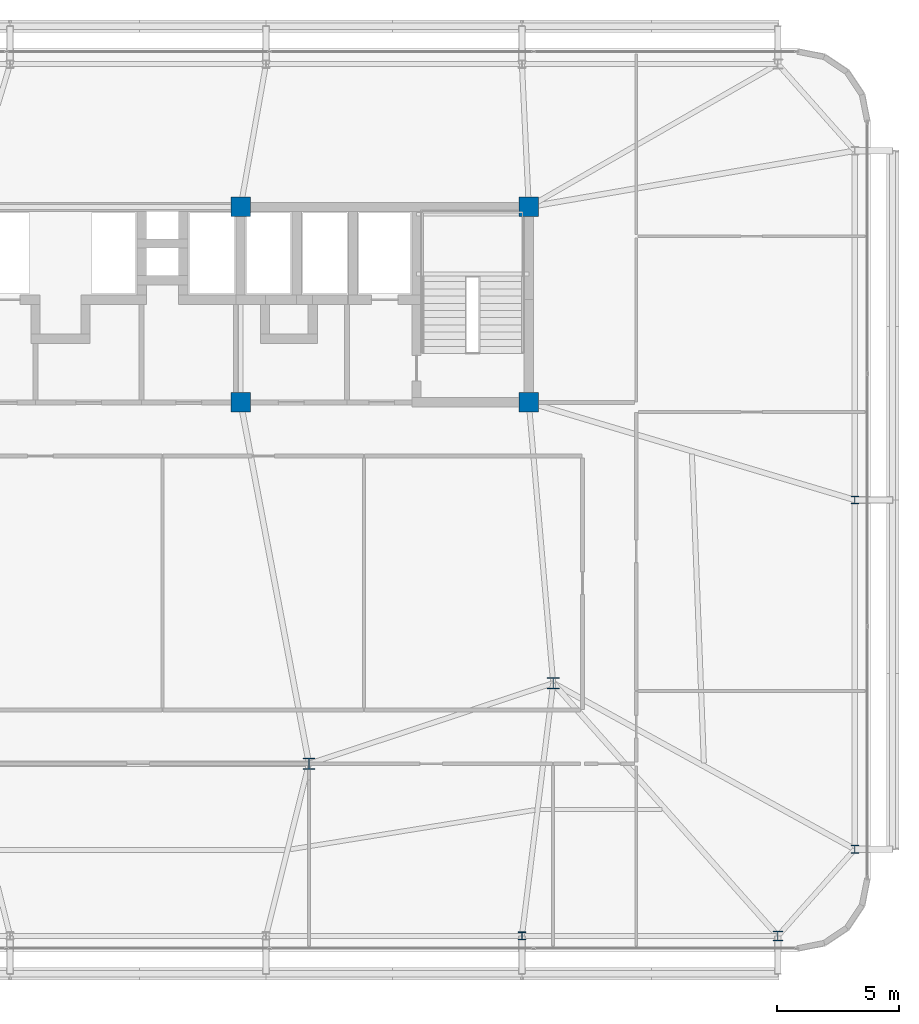
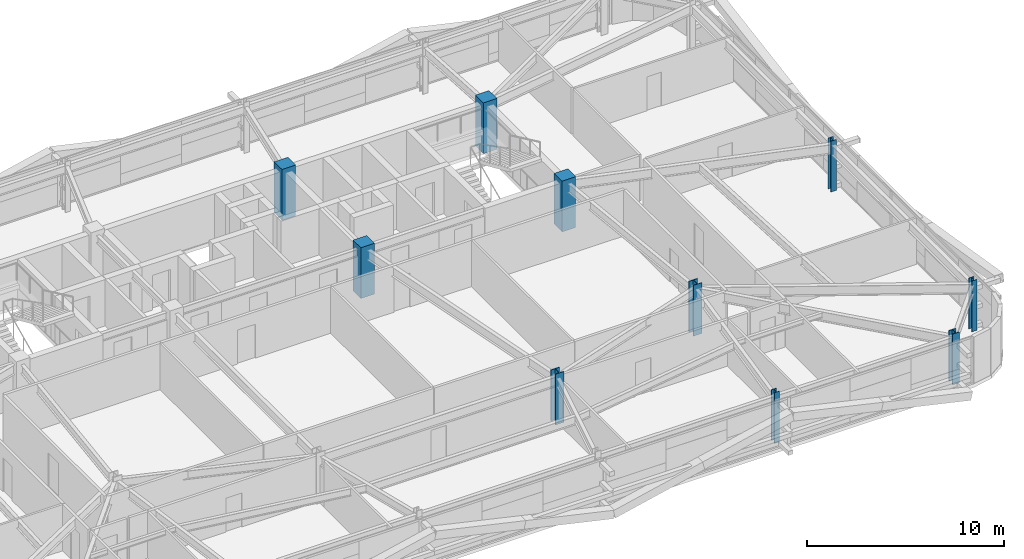
# One storey, part 2 of 45: 10 columns.
"""IFC4 building model written with IfcOpenShell, lengths in metres."""

from ifc_helpers import new_model, si_unit, direction, frame, origin, origin_2d, place, context, subcontext, project, spatial, rectangle, i_section, extrude, source, transform, mapped, material, material_profile, profile_set, type_object, element, save


model = new_model("IFC4")

# Units and contexts
model_context = context("Model", 3, precision=1e-05, world=origin(), true_north=direction((0.0, 1.0)))
body_context = subcontext(model_context, "Body", "Model", "MODEL_VIEW")
ifc_project = project(units=[si_unit("LENGTHUNIT", "METRE"), si_unit("AREAUNIT", "SQUARE_METRE"), si_unit("VOLUMEUNIT", "CUBIC_METRE"), si_unit("PLANEANGLEUNIT", "RADIAN"), si_unit("MASSUNIT", "GRAM", prefix="KILO")], contexts=[model_context])

# Site, building, storey
site_placement = place(None, origin())
site = spatial("IfcSite", under=ifc_project, at=site_placement, CompositionType="ELEMENT")
building_placement = place(site_placement, origin())
building = spatial("IfcBuilding", under=site, at=building_placement, Name="Taldren Reach Tower", CompositionType="ELEMENT")
storey_placement = place(building_placement, frame((0.0, 0.0, 57.75)))
storey = spatial("IfcBuildingStorey", under=building, at=storey_placement, Name="L17", CompositionType="ELEMENT", Elevation=57.75)

# Columns
ifc_material_1 = material(Name="Steel Gr 350 (350PLUS)", Category="steel")
ifc_material_profile_1 = material_profile(ifc_material_1, i_section(OverallWidth=0.5, OverallDepth=0.47998046875, WebThickness=0.028076171875, FlangeThickness=0.0439453125, at=origin_2d()), Name="500WC440")
ifc_profile_set_1 = profile_set([ifc_material_profile_1], Name="Steel Gr 350 (350PLUS)")
column_type_1 = type_object("IfcColumnType", Name="COL-WC500A", PredefinedType="COLUMN", material=ifc_profile_set_1)
shared_shape_1 = source(origin(), body_context, "Body", "SweptSolid", [
    extrude(i_section(OverallWidth=0.5, OverallDepth=0.47998046875, WebThickness=0.028076171875, FlangeThickness=0.0439453125, at=origin_2d()), origin(), (0.0, 0.0, 1.0), 3.14990234375),
])
column_1_placement = place(storey_placement, frame((42.0, 9.199951171875, 0.0), z_axis=(0.0, 0.0, 1.0), x_axis=(1.0, 0.0, 0.0)))
element("IfcColumn", 1, at=column_1_placement, inside=storey, type_object=column_type_1, Name="Mega column MC-PJE L17", PredefinedType="COLUMN", context=body_context, shape_type="MappedRepresentation", body=[
    mapped(shared_shape_1, transform((0.0, 0.0, 0.0), scale=1.0)),
])
ifc_material_profile_2 = material_profile(ifc_material_1, i_section(OverallWidth=0.39990234375, OverallDepth=0.39599609375, WebThickness=0.02197265625, FlangeThickness=0.033935546875, at=origin_2d()), Name="400WC270")
ifc_profile_set_2 = profile_set([ifc_material_profile_2], Name="Steel Gr 350 (350PLUS)")
column_type_2 = type_object("IfcColumnType", Name="COL-WC400", PredefinedType="COLUMN", material=ifc_profile_set_2)
shared_shape_2 = source(origin(), body_context, "Body", "SweptSolid", [
    extrude(i_section(OverallWidth=0.39990234375, OverallDepth=0.39599609375, WebThickness=0.02197265625, FlangeThickness=0.033935546875, at=origin_2d()), origin(), (0.0, 0.0, 1.0), 3.14990234375),
])
column_2_placement = place(storey_placement, frame((61.199951171875, 2.14990234375, 0.0), z_axis=(0.0, 0.0, 1.0), x_axis=(1.0, 0.0, 0.0)))
element("IfcColumn", 2, at=column_2_placement, inside=storey, type_object=column_type_2, Name="Block B1 perimeter column S6 L17", PredefinedType="COLUMN", context=body_context, shape_type="MappedRepresentation", body=[
    mapped(shared_shape_2, transform((0.0, 0.0, 0.0), scale=1.0)),
])
ifc_material_profile_3 = material_profile(ifc_material_1, i_section(OverallWidth=0.31103515625, OverallDepth=0.326904296875, WebThickness=0.015625, FlangeThickness=0.02490234375, at=origin_2d()), Name="310UC158")
ifc_profile_set_3 = profile_set([ifc_material_profile_3], Name="Steel Gr 350 (350PLUS)")
column_type_3 = type_object("IfcColumnType", Name="COL-UC310A", PredefinedType="COLUMN", material=ifc_profile_set_3)
shared_shape_3 = source(origin(), body_context, "Body", "SweptSolid", [
    extrude(i_section(OverallWidth=0.31103515625, OverallDepth=0.326904296875, WebThickness=0.015625, FlangeThickness=0.02490234375, at=origin_2d()), origin(), (0.0, 0.0, 1.0), 3.14990234375),
])
for number, where, z_axis, x_axis, name in (
    (3, (50.719970703125, 2.14990234375, 0.0), (0.0, 0.0, 1.0), (1.0, 0.0, 0.0), "Block B1 perimeter column S5 L17"),
    (4, (64.35009765625, 5.699951171875, 0.0), (0.0, 0.0, 1.0), (1.0, 0.0, 0.0), "Block B1 perimeter column E1 L17"),
    (5, (64.35009765625, 20.0, 0.0), (0.0, 0.0, 1.0), (1.0, 0.0, 0.0), "Block B1 perimeter column E2 L17"),
):
    element("IfcColumn", number, at=place(storey_placement, frame(where, z_axis=z_axis, x_axis=x_axis)), inside=storey, type_object=column_type_3, Name=name, PredefinedType="COLUMN", context=body_context, shape_type="MappedRepresentation", body=[
        mapped(shared_shape_3, transform((0.0, 0.0, 0.0), scale=1.0)),
    ])
ifc_material_2 = material(Name="Concrete S65 (65 MPa)", Category="concrete")
ifc_material_profile_4 = material_profile(ifc_material_2, rectangle(XDim=0.800048828125, YDim=0.800048828125, at=origin_2d()), Name="RC-800x800")
ifc_profile_set_4 = profile_set([ifc_material_profile_4], Name="Concrete S65 (65 MPa)")
column_type_4 = type_object("IfcColumnType", Name="COL-RC800", PredefinedType="COLUMN", material=ifc_profile_set_4)
shared_shape_4 = source(origin(), body_context, "Body", "SweptSolid", [
    extrude(rectangle(XDim=0.800048828125, YDim=0.800048828125, at=origin_2d()), origin(), (0.0, 0.0, 1.0), 3.14990234375),
])
for number, where, z_axis, x_axis, name in (
    (6, (39.199951171875, 24.0, 0.0), (0.0, 0.0, 1.0), (1.0, 0.0, 0.0), "Mega column MC-C3 L17"),
    (7, (51.0, 24.0, 0.0), (0.0, 0.0, 1.0), (1.0, 0.0, 0.0), "Mega column MC-C4 L17"),
    (8, (39.199951171875, 32.0, 0.0), (0.0, 0.0, 1.0), (1.0, 0.0, 0.0), "Mega column MC-C7 L17"),
    (9, (51.0, 32.0, 0.0), (0.0, 0.0, 1.0), (1.0, 0.0, 0.0), "Mega column MC-C8 L17"),
):
    element("IfcColumn", number, at=place(storey_placement, frame(where, z_axis=z_axis, x_axis=x_axis)), inside=storey, type_object=column_type_4, Name=name, PredefinedType="COLUMN", context=body_context, shape_type="MappedRepresentation", body=[
        mapped(shared_shape_4, transform((0.0, 0.0, 0.0), scale=1.0)),
    ])
ifc_material_profile_5 = material_profile(ifc_material_1, i_section(OverallWidth=0.5, OverallDepth=0.464111328125, WebThickness=0.02197265625, FlangeThickness=0.033935546875, at=origin_2d()), Name="500WC340")
ifc_profile_set_5 = profile_set([ifc_material_profile_5], Name="Steel Gr 350 (350PLUS)")
column_type_5 = type_object("IfcColumnType", Name="COL-WC500B", PredefinedType="COLUMN", material=ifc_profile_set_5)
shared_shape_5 = source(origin(), body_context, "Body", "SweptSolid", [
    extrude(i_section(OverallWidth=0.5, OverallDepth=0.464111328125, WebThickness=0.02197265625, FlangeThickness=0.033935546875, at=origin_2d()), origin(), (0.0, 0.0, 1.0), 3.14990234375),
])
column_3_placement = place(storey_placement, frame((52.0, 12.5, 0.0), z_axis=(0.0, 0.0, 1.0), x_axis=(1.0, 0.0, 0.0)))
element("IfcColumn", 10, at=column_3_placement, inside=storey, type_object=column_type_5, Name="Mega column MC-SE L17", PredefinedType="COLUMN", context=body_context, shape_type="MappedRepresentation", body=[
    mapped(shared_shape_5, transform((0.0, 0.0, 0.0), scale=1.0)),
])

save(model, "model.ifc")
